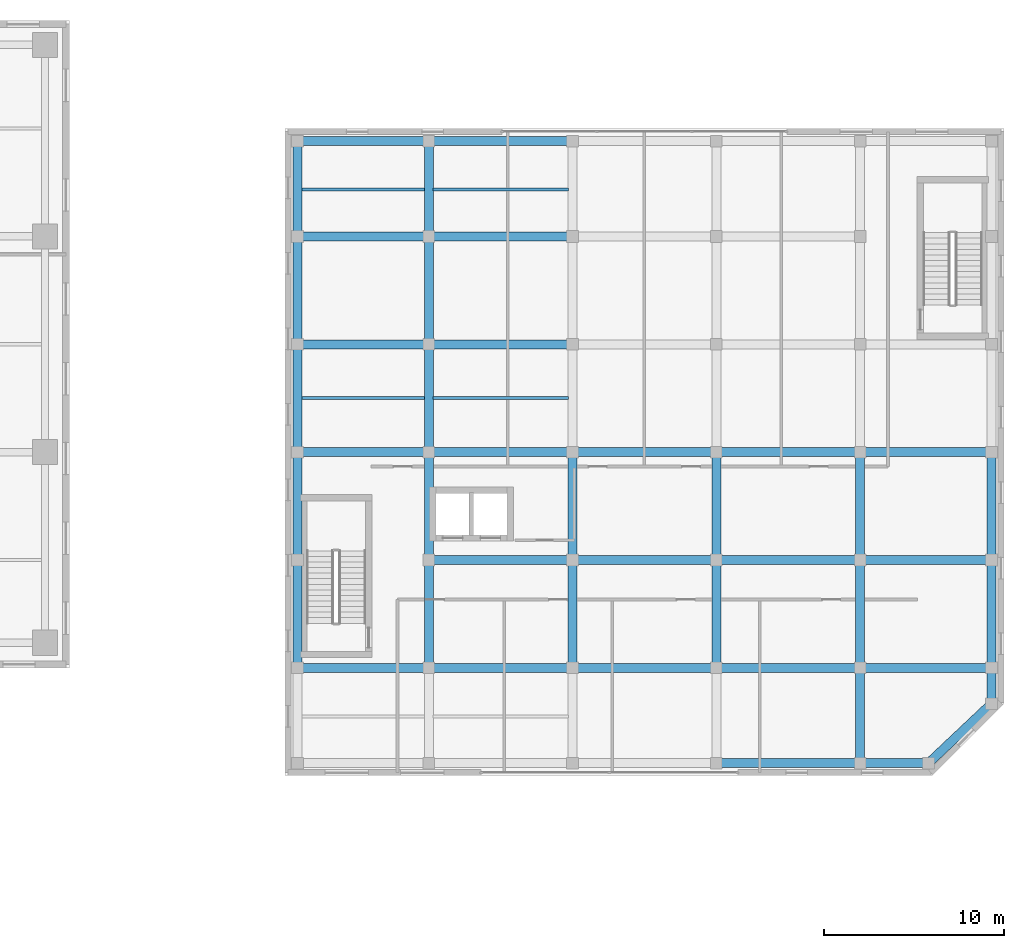
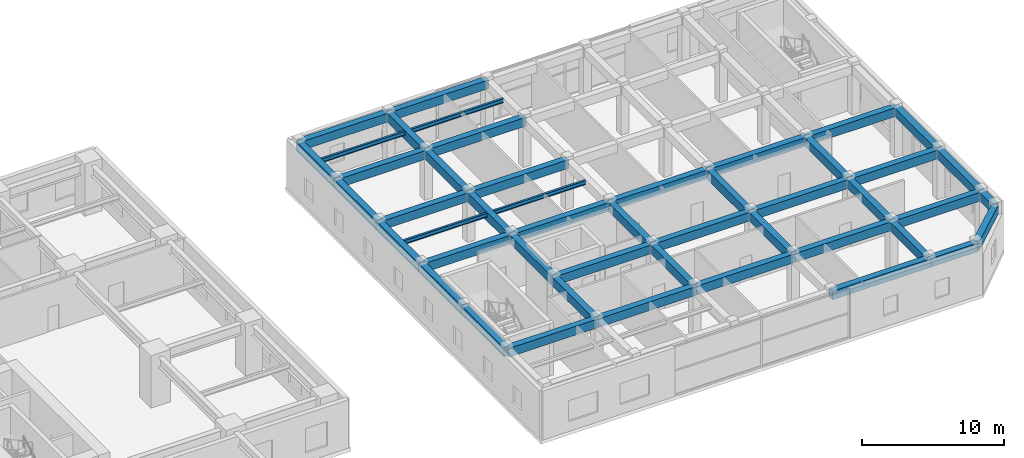
# One storey, part 12 of 26: 47 beams.
"""IFC4 building model written with IfcOpenShell, lengths in metres."""

from ifc_helpers import new_model, si_unit, direction, frame, origin, origin_2d, place, context, subcontext, project, spatial, rectangle, i_section, extrude, source, transform, mapped, material, material_profile, profile_set, type_object, element, save


model = new_model("IFC4")

# Units and contexts
model_context = context("Model", 3, precision=1e-05, world=origin(), true_north=direction((0.0, 1.0)))
body_context = subcontext(model_context, "Body", "Model", "MODEL_VIEW")
ifc_project = project(units=[si_unit("LENGTHUNIT", "METRE"), si_unit("AREAUNIT", "SQUARE_METRE"), si_unit("VOLUMEUNIT", "CUBIC_METRE"), si_unit("PLANEANGLEUNIT", "RADIAN"), si_unit("MASSUNIT", "GRAM", prefix="KILO")], contexts=[model_context])

# Site, building, storey
site_placement = place(None, origin())
site = spatial("IfcSite", under=ifc_project, at=site_placement, CompositionType="ELEMENT")
building_placement = place(site_placement, origin())
building = spatial("IfcBuilding", under=site, at=building_placement, Name="Khoralis Quay Care Tower", CompositionType="ELEMENT")
storey_placement = place(building_placement, frame((0.0, 0.0, 4.5)))
storey = spatial("IfcBuildingStorey", under=building, at=storey_placement, Name="L01", CompositionType="ELEMENT", Elevation=4.5)

# Beams
ifc_material_1 = material(Name="Concrete C40/50", Category="concrete")
ifc_material_profile_1 = material_profile(ifc_material_1, rectangle(XDim=0.5, YDim=0.75, at=origin_2d()), Name="Concrete C40/50")
ifc_profile_set_1 = profile_set([ifc_material_profile_1], Name="Concrete C40/50")
beam_type_1 = type_object("IfcBeamType", Name="BM-RC500X750", PredefinedType="BEAM", material=ifc_profile_set_1)
shared_shape_1 = source(origin(), body_context, "Body", "SweptSolid", [
    extrude(rectangle(XDim=0.5, YDim=0.75, at=origin_2d()), origin(), (0.0, 0.0, 1.0), 7.300048828125),
])
for number, where, z_axis, x_axis, name in (
    (1, (68.699951171875, 12.0, 3.824951171875), (1.0, 0.0, 0.0), (0.0, 1.0, 0.0), "BM-SCX-L01-05"),
    (2, (100.0, 12.0, 3.824951171875), (1.0, 0.0, 0.0), (0.0, 1.0, 0.0), "BM-SCX-L01-09"),
    (3, (100.0, 18.0, 3.824951171875), (1.0, 0.0, 0.0), (0.0, 1.0, 0.0), "BM-SCX-L01-13"),
    (4, (68.699951171875, 24.0, 3.824951171875), (1.0, 0.0, 0.0), (0.0, 1.0, 0.0), "BM-SCX-L01-14"),
    (5, (100.0, 24.0, 3.824951171875), (1.0, 0.0, 0.0), (0.0, 1.0, 0.0), "BM-SCX-L01-18"),
    (6, (68.699951171875, 30.0, 3.824951171875), (1.0, 0.0, 0.0), (0.0, 1.0, 0.0), "BM-SCX-L01-19"),
    (7, (68.699951171875, 36.0, 3.824951171875), (1.0, 0.0, 0.0), (0.0, 1.0, 0.0), "BM-SCX-L01-24"),
    (8, (68.699951171875, 41.300048828125, 3.824951171875), (1.0, 0.0, 0.0), (0.0, 1.0, 0.0), "BM-SCX-L01-28"),
):
    element("IfcBeam", number, at=place(storey_placement, frame(where, z_axis=z_axis, x_axis=x_axis)), inside=storey, type_object=beam_type_1, Name=name, PredefinedType="BEAM", context=body_context, shape_type="MappedRepresentation", body=[
        mapped(shared_shape_1, transform((0.0, 0.0, 0.0), scale=1.0)),
    ])
shared_shape_2 = source(origin(), body_context, "Body", "SweptSolid", [
    extrude(rectangle(XDim=0.5, YDim=0.75, at=origin_2d()), origin(), (0.0, 0.0, 1.0), 8.0),
])
for number, where, z_axis, x_axis, name in (
    (9, (92.0, 6.699951171875, 3.824951171875), (1.0, 0.0, 0.0), (0.0, 1.0, 0.0), "BM-SCX-L01-04"),
    (10, (76.0, 12.0, 3.824951171875), (1.0, 0.0, 0.0), (0.0, 1.0, 0.0), "BM-SCX-L01-06"),
    (11, (84.0, 12.0, 3.824951171875), (1.0, 0.0, 0.0), (0.0, 1.0, 0.0), "BM-SCX-L01-07"),
    (12, (92.0, 12.0, 3.824951171875), (1.0, 0.0, 0.0), (0.0, 1.0, 0.0), "BM-SCX-L01-08"),
    (13, (76.0, 18.0, 3.824951171875), (1.0, 0.0, 0.0), (0.0, 1.0, 0.0), "BM-SCX-L01-10"),
    (14, (84.0, 18.0, 3.824951171875), (1.0, 0.0, 0.0), (0.0, 1.0, 0.0), "BM-SCX-L01-11"),
    (15, (92.0, 18.0, 3.824951171875), (1.0, 0.0, 0.0), (0.0, 1.0, 0.0), "BM-SCX-L01-12"),
    (16, (76.0, 24.0, 3.824951171875), (1.0, 0.0, 0.0), (0.0, 1.0, 0.0), "BM-SCX-L01-15"),
    (17, (84.0, 24.0, 3.824951171875), (1.0, 0.0, 0.0), (0.0, 1.0, 0.0), "BM-SCX-L01-16"),
    (18, (92.0, 24.0, 3.824951171875), (1.0, 0.0, 0.0), (0.0, 1.0, 0.0), "BM-SCX-L01-17"),
    (19, (76.0, 30.0, 3.824951171875), (1.0, 0.0, 0.0), (0.0, 1.0, 0.0), "BM-SCX-L01-20"),
    (20, (76.0, 36.0, 3.824951171875), (1.0, 0.0, 0.0), (0.0, 1.0, 0.0), "BM-SCX-L01-25"),
    (21, (76.0, 41.300048828125, 3.824951171875), (1.0, 0.0, 0.0), (0.0, 1.0, 0.0), "BM-SCX-L01-29"),
):
    element("IfcBeam", number, at=place(storey_placement, frame(where, z_axis=z_axis, x_axis=x_axis)), inside=storey, type_object=beam_type_1, Name=name, PredefinedType="BEAM", context=body_context, shape_type="MappedRepresentation", body=[
        mapped(shared_shape_2, transform((0.0, 0.0, 0.0), scale=1.0)),
    ])
shared_shape_3 = source(origin(), body_context, "Body", "SweptSolid", [
    extrude(rectangle(XDim=0.5, YDim=0.75, at=origin_2d()), origin(), (0.0, 0.0, 1.0), 5.300048828125),
])
for number, where, z_axis, x_axis, name in (
    (22, (68.699951171875, 36.0, 3.824951171875), (0.0, 1.0, 0.0), (-1.0, 0.0, 0.0), "BM-SCY-L01-38"),
    (23, (76.0, 36.0, 3.824951171875), (0.0, 1.0, 0.0), (-1.0, 0.0, 0.0), "BM-SCY-L01-44"),
    (24, (100.0, 6.699951171875, 3.824951171875), (0.0, 1.0, 0.0), (-1.0, 0.0, 0.0), "BM-SCY-L01-57"),
):
    element("IfcBeam", number, at=place(storey_placement, frame(where, z_axis=z_axis, x_axis=x_axis)), inside=storey, type_object=beam_type_1, Name=name, PredefinedType="BEAM", context=body_context, shape_type="MappedRepresentation", body=[
        mapped(shared_shape_3, transform((0.0, 0.0, 0.0), scale=1.0)),
    ])
shared_shape_4 = source(origin(), body_context, "Body", "SweptSolid", [
    extrude(rectangle(XDim=0.5, YDim=0.75, at=origin_2d()), origin(), (0.0, 0.0, 1.0), 6.0),
])
for number, where, z_axis, x_axis, name in (
    (25, (68.699951171875, 12.0, 3.824951171875), (0.0, 1.0, 0.0), (-1.0, 0.0, 0.0), "BM-SCY-L01-34"),
    (26, (68.699951171875, 18.0, 3.824951171875), (0.0, 1.0, 0.0), (-1.0, 0.0, 0.0), "BM-SCY-L01-35"),
    (27, (68.699951171875, 24.0, 3.824951171875), (0.0, 1.0, 0.0), (-1.0, 0.0, 0.0), "BM-SCY-L01-36"),
    (28, (68.699951171875, 30.0, 3.824951171875), (0.0, 1.0, 0.0), (-1.0, 0.0, 0.0), "BM-SCY-L01-37"),
    (29, (76.0, 12.0, 3.824951171875), (0.0, 1.0, 0.0), (-1.0, 0.0, 0.0), "BM-SCY-L01-40"),
    (30, (76.0, 18.0, 3.824951171875), (0.0, 1.0, 0.0), (-1.0, 0.0, 0.0), "BM-SCY-L01-41"),
    (31, (76.0, 24.0, 3.824951171875), (0.0, 1.0, 0.0), (-1.0, 0.0, 0.0), "BM-SCY-L01-42"),
    (32, (76.0, 30.0, 3.824951171875), (0.0, 1.0, 0.0), (-1.0, 0.0, 0.0), "BM-SCY-L01-43"),
    (33, (84.0, 12.0, 3.824951171875), (0.0, 1.0, 0.0), (-1.0, 0.0, 0.0), "BM-SCY-L01-46"),
    (34, (84.0, 18.0, 3.824951171875), (0.0, 1.0, 0.0), (-1.0, 0.0, 0.0), "BM-SCY-L01-47"),
    (35, (92.0, 12.0, 3.824951171875), (0.0, 1.0, 0.0), (-1.0, 0.0, 0.0), "BM-SCY-L01-52"),
    (36, (92.0, 18.0, 3.824951171875), (0.0, 1.0, 0.0), (-1.0, 0.0, 0.0), "BM-SCY-L01-53"),
    (37, (100.0, 12.0, 3.824951171875), (0.0, 1.0, 0.0), (-1.0, 0.0, 0.0), "BM-SCY-L01-58"),
    (38, (100.0, 18.0, 3.824951171875), (0.0, 1.0, 0.0), (-1.0, 0.0, 0.0), "BM-SCY-L01-59"),
    (39, (107.300048828125, 12.0, 3.824951171875), (0.0, 1.0, 0.0), (-1.0, 0.0, 0.0), "BM-SCY-L01-63"),
    (40, (107.300048828125, 18.0, 3.824951171875), (0.0, 1.0, 0.0), (-1.0, 0.0, 0.0), "BM-SCY-L01-64"),
):
    element("IfcBeam", number, at=place(storey_placement, frame(where, z_axis=z_axis, x_axis=x_axis)), inside=storey, type_object=beam_type_1, Name=name, PredefinedType="BEAM", context=body_context, shape_type="MappedRepresentation", body=[
        mapped(shared_shape_4, transform((0.0, 0.0, 0.0), scale=1.0)),
    ])
shared_shape_5 = source(origin(), body_context, "Body", "SweptSolid", [
    extrude(rectangle(XDim=0.5, YDim=0.75, at=origin_2d()), origin(), (0.0, 0.0, 1.0), 3.800048828125),
])
beam_1_placement = place(storey_placement, frame((100.0, 6.699951171875, 3.824951171875), z_axis=(1.0, 0.0, 0.0), x_axis=(0.0, 1.0, 0.0)))
element("IfcBeam", 41, at=beam_1_placement, inside=storey, type_object=beam_type_1, Name="BM-SCCH-L01-1", PredefinedType="BEAM", context=body_context, shape_type="MappedRepresentation", body=[
    mapped(shared_shape_5, transform((0.0, 0.0, 0.0), scale=1.0)),
])
shared_shape_6 = source(origin(), body_context, "Body", "SweptSolid", [
    extrude(rectangle(XDim=0.5, YDim=0.75, at=origin_2d()), origin(), (0.0, 0.0, 1.0), 4.810546875),
])
beam_2_placement = place(storey_placement, frame((103.800048828125, 6.699951171875, 3.824951171875), z_axis=(0.727584339713, 0.686018242181, 0.0), x_axis=(-0.686018242181, 0.727584339713, 0.0)))
element("IfcBeam", 42, at=beam_2_placement, inside=storey, type_object=beam_type_1, Name="BM-SCCH-L01-2", PredefinedType="BEAM", context=body_context, shape_type="MappedRepresentation", body=[
    mapped(shared_shape_6, transform((0.0, 0.0, 0.0), scale=1.0)),
])
shared_shape_7 = source(origin(), body_context, "Body", "SweptSolid", [
    extrude(rectangle(XDim=0.5, YDim=0.75, at=origin_2d()), origin(), (0.0, 0.0, 1.0), 2.0),
])
beam_3_placement = place(storey_placement, frame((107.300048828125, 10.0, 3.824951171875), z_axis=(0.0, 1.0, 0.0), x_axis=(-1.0, 0.0, 0.0)))
element("IfcBeam", 43, at=beam_3_placement, inside=storey, type_object=beam_type_1, Name="BM-SCCH-L01-3", PredefinedType="BEAM", context=body_context, shape_type="MappedRepresentation", body=[
    mapped(shared_shape_7, transform((0.0, 0.0, 0.0), scale=1.0)),
])
ifc_material_2 = material(Name="Steel S355", Category="steel")
ifc_material_profile_2 = material_profile(ifc_material_2, i_section(OverallWidth=0.1708984375, OverallDepth=0.35498046875, WebThickness=0.007080078125, FlangeThickness=0.01171875, FilletRadius=0.012939453125, at=origin_2d()), Name="Steel S355")
ifc_profile_set_2 = profile_set([ifc_material_profile_2], Name="Steel S355")
beam_type_2 = type_object("IfcBeamType", Name="BM-W360X51", PredefinedType="JOIST", material=ifc_profile_set_2)
shared_shape_8 = source(origin(), body_context, "Body", "SweptSolid", [
    extrude(i_section(OverallWidth=0.1708984375, OverallDepth=0.35498046875, WebThickness=0.007080078125, FlangeThickness=0.01171875, FilletRadius=0.012939453125, at=origin_2d()), origin(), (0.0, 0.0, 1.0), 6.823974609375),
])
for number, where, z_axis, x_axis, name in (
    (44, (68.93798828125, 27.0, 4.0224609375), (1.0, 0.0, 0.0), (0.0, 1.0, 0.0), "BM-SCJ-L01-70"),
    (45, (68.93798828125, 38.60009765625, 4.0224609375), (1.0, 0.0, 0.0), (0.0, 1.0, 0.0), "BM-SCJ-L01-72"),
):
    element("IfcBeam", number, at=place(storey_placement, frame(where, z_axis=z_axis, x_axis=x_axis)), inside=storey, type_object=beam_type_2, Name=name, PredefinedType="JOIST", context=body_context, shape_type="MappedRepresentation", body=[
        mapped(shared_shape_8, transform((0.0, 0.0, 0.0), scale=1.0)),
    ])
shared_shape_9 = source(origin(), body_context, "Body", "SweptSolid", [
    extrude(i_section(OverallWidth=0.1708984375, OverallDepth=0.35498046875, WebThickness=0.007080078125, FlangeThickness=0.01171875, FilletRadius=0.012939453125, at=origin_2d()), origin(), (0.0, 0.0, 1.0), 7.52392578125),
])
for number, where, z_axis, x_axis, name in (
    (46, (76.238037109375, 27.0, 4.0224609375), (1.0, 0.0, 0.0), (0.0, 1.0, 0.0), "BM-SCJ-L01-71"),
    (47, (76.238037109375, 38.60009765625, 4.0224609375), (1.0, 0.0, 0.0), (0.0, 1.0, 0.0), "BM-SCJ-L01-73"),
):
    element("IfcBeam", number, at=place(storey_placement, frame(where, z_axis=z_axis, x_axis=x_axis)), inside=storey, type_object=beam_type_2, Name=name, PredefinedType="JOIST", context=body_context, shape_type="MappedRepresentation", body=[
        mapped(shared_shape_9, transform((0.0, 0.0, 0.0), scale=1.0)),
    ])

save(model, "model.ifc")
